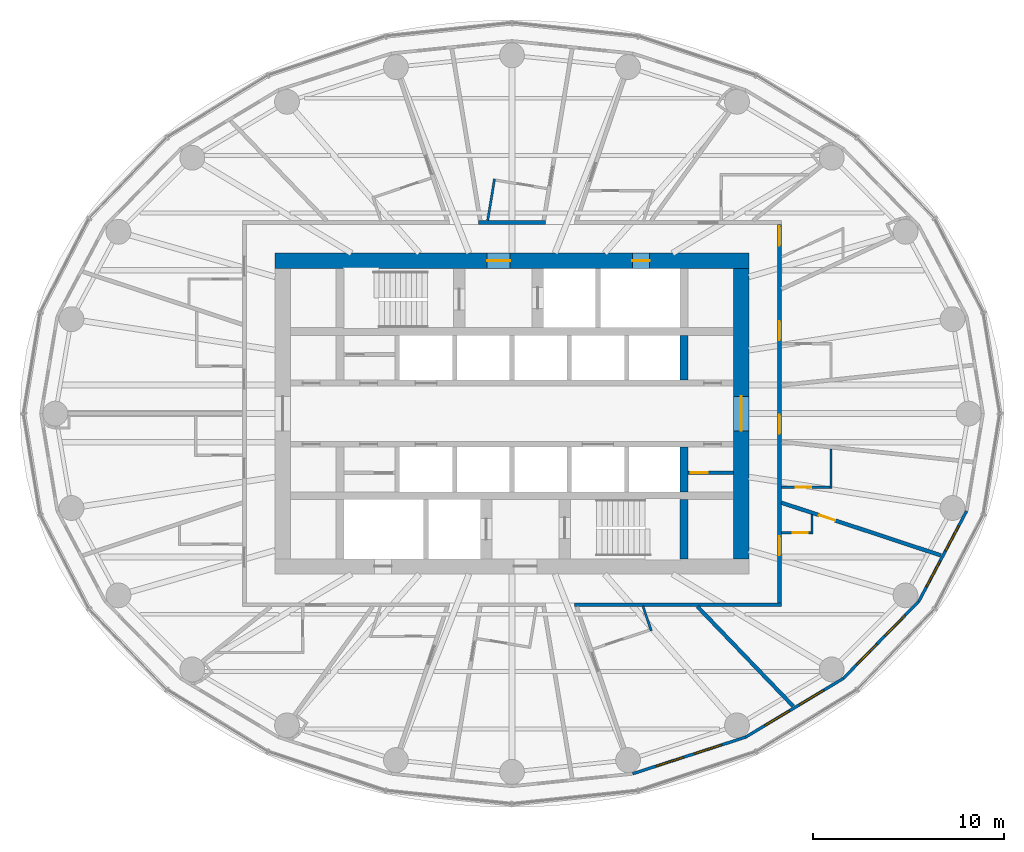
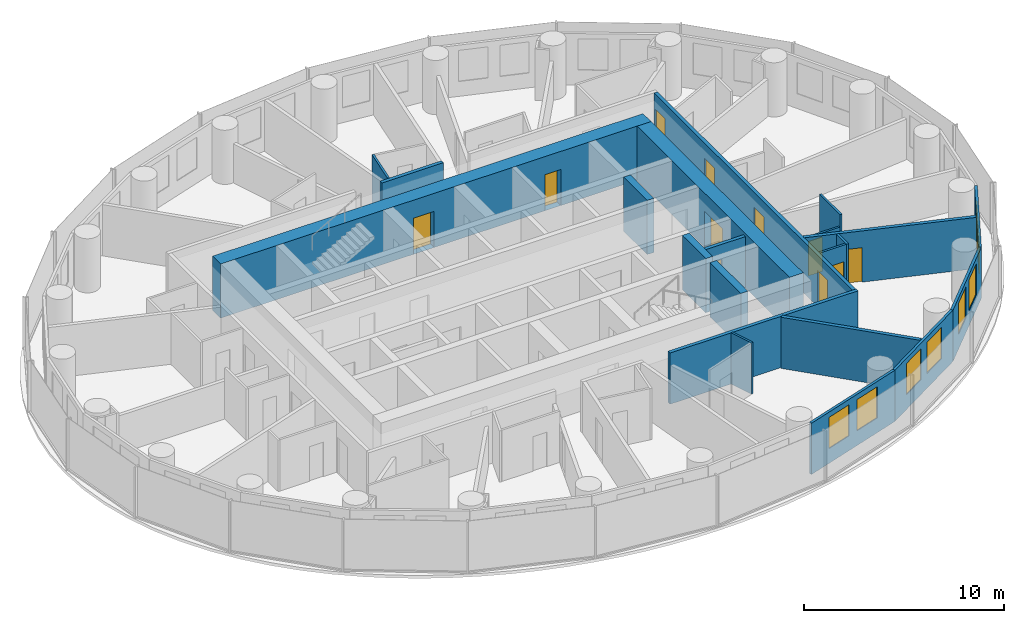
# One storey, part 9 of 13: 21 walls, 11 doors, 8 windows, 19 openings.
"""IFC4 building model written with IfcOpenShell, lengths in metres."""

from ifc_helpers import new_model, si_unit, direction, frame, frame_2d, origin, place, context, subcontext, project, spatial, rectangle, extrude, material, layer, layer_set, type_object, element, fill, save


model = new_model("IFC4")

# Units and contexts
model_context = context("Model", 3, precision=1e-05, world=origin(), true_north=direction((0.0, 1.0)))
body_context = subcontext(model_context, "Body", "Model", "MODEL_VIEW")
ifc_project = project(units=[si_unit("LENGTHUNIT", "METRE"), si_unit("AREAUNIT", "SQUARE_METRE"), si_unit("VOLUMEUNIT", "CUBIC_METRE"), si_unit("PLANEANGLEUNIT", "RADIAN"), si_unit("MASSUNIT", "GRAM", prefix="KILO")], contexts=[model_context])

# Site, building, storey
site_placement = place(None, origin())
site = spatial("IfcSite", under=ifc_project, at=site_placement, CompositionType="ELEMENT")
building_placement = place(site_placement, origin())
building = spatial("IfcBuilding", under=site, at=building_placement, Name="Hankou Lantern Tower", CompositionType="ELEMENT")
storey_placement = place(building_placement, frame((0.0, 0.0, 122.10009765625)))
storey = spatial("IfcBuildingStorey", under=building, at=storey_placement, Name="L31", CompositionType="ELEMENT", Elevation=122.10009765625)

# Wall, openings, doors
ifc_material_1 = material(Name="Concrete C60", Category="concrete")
ifc_layer_1 = layer(ifc_material_1, 0.800048828125)
ifc_layer_set_1 = layer_set([ifc_layer_1], Name="Concrete C60")
wall_type_1 = type_object("IfcWallType", Name="CW2 CORE WALL 800", PredefinedType="SHEAR", material=ifc_layer_set_1)
wall_1_placement = place(storey_placement, frame((-12.39990234375, 8.0, 0.0), z_axis=(0.0, 0.0, 1.0), x_axis=(1.0, 0.0, 0.0)))
wall_1 = element("IfcWall", 1, at=wall_1_placement, inside=storey, type_object=wall_type_1, Name="Core wall north L31", PredefinedType="SHEAR", context=body_context, shape_type="SweptSolid", body=[
    extrude(rectangle(XDim=24.7998046875, YDim=0.800048828125, at=frame_2d((12.39990234375, 0.0))), origin(), (0.0, 0.0, 1.0), 3.2998046875),
])
opening_1_placement = place(wall_1_placement, frame((11.10009765625, 0.0, 0.0)))
opening_1 = element("IfcOpeningElement", 2, at=opening_1_placement, cuts=wall_1, Name="Opening D5", PredefinedType="OPENING", context=body_context, shape_type="SweptSolid", body=[
    extrude(rectangle(XDim=1.199951171875, YDim=2.199951171875, at=frame_2d((0.60009765625, 1.10009765625))), frame((0.0, 0.409912109375, 0.0), z_axis=(0.0, -1.0, 0.0), x_axis=(1.0, 0.0, 0.0)), (0.0, 0.0, 1.0), 0.820068359375),
])
opening_2_placement = place(wall_1_placement, frame((18.699951171875, 0.0, 0.0)))
opening_2 = element("IfcOpeningElement", 3, at=opening_2_placement, cuts=wall_1, Name="Opening D7", PredefinedType="OPENING", context=body_context, shape_type="SweptSolid", body=[
    extrude(rectangle(XDim=0.89990234375, YDim=2.199951171875, at=frame_2d((0.449951171875, 1.10009765625))), frame((0.0, 0.409912109375, 0.0), z_axis=(0.0, -1.0, 0.0), x_axis=(1.0, 0.0, 0.0)), (0.0, 0.0, 1.0), 0.820068359375),
])
ifc_material_2 = material(Name="Steel door leaf", Category="steel")
door_type_1 = type_object("IfcDoorType", Name="D5 STAIR LOBBY DOOR 1200X2200", OperationType="SINGLE_SWING_LEFT", PredefinedType="DOOR", material=ifc_material_2)
door_1_placement = place(opening_1_placement, origin())
door_1 = element("IfcDoor", 4, at=door_1_placement, inside=storey, type_object=door_type_1, Name="Stair A lobby door", OperationType="SINGLE_SWING_LEFT", OverallHeight=2.199951171875, OverallWidth=1.199951171875, PredefinedType="DOOR", context=body_context, shape_type="SweptSolid", body=[
    extrude(rectangle(XDim=1.199951171875, YDim=2.199951171875, at=frame_2d((0.60009765625, 1.10009765625))), frame((0.0, 0.02490234375, 0.0), z_axis=(0.0, -1.0, 0.0), x_axis=(1.0, 0.0, 0.0)), (0.0, 0.0, 1.0), 0.050048828125),
])
fill(opening_1, door_1)
ifc_material_3 = material(Name="Steel door leaf", Category="steel")
door_type_2 = type_object("IfcDoorType", Name="D7 RISER DOOR 900X2200", OperationType="SINGLE_SWING_LEFT", PredefinedType="DOOR", material=ifc_material_3)
door_2_placement = place(opening_2_placement, origin())
door_2 = element("IfcDoor", 5, at=door_2_placement, inside=storey, type_object=door_type_2, Name="Riser N1 door", OperationType="SINGLE_SWING_RIGHT", OverallHeight=2.199951171875, OverallWidth=0.89990234375, PredefinedType="DOOR", context=body_context, shape_type="SweptSolid", body=[
    extrude(rectangle(XDim=0.89990234375, YDim=2.199951171875, at=frame_2d((0.449951171875, 1.10009765625))), frame((0.0, 0.02490234375, 0.0), z_axis=(0.0, -1.0, 0.0), x_axis=(1.0, 0.0, 0.0)), (0.0, 0.0, 1.0), 0.050048828125),
])
fill(opening_2, door_2)

# Wall, opening, door
wall_2_placement = place(storey_placement, frame((12.0, -7.60009765625, 0.0), z_axis=(0.0, 0.0, 1.0), x_axis=(0.0, 1.0, 0.0)))
wall_2 = element("IfcWall", 6, at=wall_2_placement, inside=storey, type_object=wall_type_1, Name="Core wall east L31", PredefinedType="SHEAR", context=body_context, shape_type="SweptSolid", body=[
    extrude(rectangle(XDim=15.2001953125, YDim=0.800048828125, at=frame_2d((7.60009765625, 0.0))), origin(), (0.0, 0.0, 1.0), 3.2998046875),
])
opening_3_placement = place(wall_2_placement, frame((6.699951171875, 0.0, 0.0)))
opening_3 = element("IfcOpeningElement", 7, at=opening_3_placement, cuts=wall_2, Name="Opening D6", PredefinedType="OPENING", context=body_context, shape_type="SweptSolid", body=[
    extrude(rectangle(XDim=1.800048828125, YDim=2.199951171875, at=frame_2d((0.89990234375, 1.10009765625))), frame((0.0, 0.409912109375, 0.0), z_axis=(0.0, -1.0, 0.0), x_axis=(1.0, 0.0, 0.0)), (0.0, 0.0, 1.0), 0.820068359375),
])
ifc_material_4 = material(Name="Steel door leaf", Category="steel")
door_type_3 = type_object("IfcDoorType", Name="D6 LIFT LOBBY DOOR 1800X2200", OperationType="DOUBLE_DOOR_DOUBLE_SWING", PredefinedType="DOOR", material=ifc_material_4)
door_3_placement = place(opening_3_placement, origin())
door_3 = element("IfcDoor", 8, at=door_3_placement, inside=storey, type_object=door_type_3, Name="Lift lobby east door", OperationType="DOUBLE_DOOR_DOUBLE_SWING", OverallHeight=2.199951171875, OverallWidth=1.800048828125, PredefinedType="DOOR", context=body_context, shape_type="SweptSolid", body=[
    extrude(rectangle(XDim=1.800048828125, YDim=2.199951171875, at=frame_2d((0.89990234375, 1.10009765625))), frame((0.0, 0.02490234375, 0.0), z_axis=(0.0, -1.0, 0.0), x_axis=(1.0, 0.0, 0.0)), (0.0, 0.0, 1.0), 0.050048828125),
])
fill(opening_3, door_3)

# Walls
ifc_material_5 = material(Name="Concrete C60", Category="concrete")
ifc_layer_2 = layer(ifc_material_5, 0.39990234375)
ifc_layer_set_2 = layer_set([ifc_layer_2], Name="Concrete C60")
wall_type_2 = type_object("IfcWallType", Name="CW4 CORE CROSS WALL 400", PredefinedType="SHEAR", material=ifc_layer_set_2)
for number, where, z_axis, x_axis, name in (
    (9, (9.0, 1.75, 0.0), (0.0, 0.0, 1.0), (0.0, 1.0, 0.0), "Core strip wall L31"),
    (10, (9.0, -4.10009765625, 0.0), (0.0, 0.0, 1.0), (0.0, 1.0, 0.0), "Core strip wall L31"),
):
    element("IfcWall", number, at=place(storey_placement, frame(where, z_axis=z_axis, x_axis=x_axis)), inside=storey, type_object=wall_type_2, Name=name, PredefinedType="SHEAR", context=body_context, shape_type="SweptSolid", body=[
        extrude(rectangle(XDim=2.35009765625, YDim=0.39990234375, at=frame_2d((1.175048828125, 0.0))), origin(), (0.0, 0.0, 1.0), 3.2998046875),
    ])
wall_3_placement = place(storey_placement, frame((9.0, -7.60009765625, 0.0), z_axis=(0.0, 0.0, 1.0), x_axis=(0.0, 1.0, 0.0)))
element("IfcWall", 11, at=wall_3_placement, inside=storey, type_object=wall_type_2, Name="Core strip wall L31", PredefinedType="SHEAR", context=body_context, shape_type="SweptSolid", body=[
    extrude(rectangle(XDim=3.10009765625, YDim=0.39990234375, at=frame_2d((1.550048828125, 0.0))), origin(), (0.0, 0.0, 1.0), 3.2998046875),
])

# Wall, openings, windows
ifc_material_6 = material(Name="Aluminium spandrel panel on steel studs", Category="steel")
ifc_layer_3 = layer(ifc_material_6, 0.14990234375)
ifc_layer_set_3 = layer_set([ifc_layer_3], Name="Aluminium spandrel panel on steel studs")
wall_type_3 = type_object("IfcWallType", Name="EW1 INNER SKIN WALL 150", PredefinedType="ELEMENTEDWALL", material=ifc_layer_set_3)
wall_4_placement = place(storey_placement, frame((6.3134765625, -18.849609375, 0.0), z_axis=(0.0, 0.0, 1.0), x_axis=(0.951272691506, 0.308350881944, 0.0)))
wall_4 = element("IfcWall", 12, at=wall_4_placement, inside=storey, type_object=wall_type_3, Name="Inner skin R20-R21 L31", PredefinedType="ELEMENTEDWALL", context=body_context, shape_type="SweptSolid", body=[
    extrude(rectangle(XDim=6.210693359375, YDim=0.14990234375, at=frame_2d((3.10546875, 0.0))), origin(), (0.0, 0.0, 1.0), 3.119873046875),
])
opening_4_placement = place(wall_4_placement, frame((1.305419921875, 0.0, 0.89990234375)))
opening_4 = element("IfcOpeningElement", 13, at=opening_4_placement, cuts=wall_4, Name="Opening W2", PredefinedType="OPENING", context=body_context, shape_type="SweptSolid", body=[
    extrude(rectangle(XDim=1.5, YDim=1.89990234375, at=frame_2d((0.75, 0.949951171875))), frame((0.0, 0.0849609375, 0.0), z_axis=(0.0, -1.0, 0.0), x_axis=(1.0, 0.0, 0.0)), (0.0, 0.0, 1.0), 0.169921875),
])
opening_5_placement = place(wall_4_placement, frame((3.4052734375, 0.0, 0.89990234375)))
opening_5 = element("IfcOpeningElement", 14, at=opening_5_placement, cuts=wall_4, Name="Opening W2", PredefinedType="OPENING", context=body_context, shape_type="SweptSolid", body=[
    extrude(rectangle(XDim=1.5, YDim=1.89990234375, at=frame_2d((0.75, 0.949951171875))), frame((0.0, 0.0849609375, 0.0), z_axis=(0.0, -1.0, 0.0), x_axis=(1.0, 0.0, 0.0)), (0.0, 0.0, 1.0), 0.169921875),
])
ifc_material_7 = material(Name="Aluminium framed double glazed window", Category="aluminium")
window_type = type_object("IfcWindowType", Name="W2 GUEST ROOM WINDOW 1500X1900", PartitioningType="DOUBLE_PANEL_VERTICAL", PredefinedType="WINDOW", material=ifc_material_7)
window_1_placement = place(opening_4_placement, origin())
window_1 = element("IfcWindow", 15, at=window_1_placement, inside=storey, type_object=window_type, Name="Window R20.1 L31", OverallHeight=1.89990234375, OverallWidth=1.5, PartitioningType="SINGLE_PANEL", PredefinedType="WINDOW", context=body_context, shape_type="SweptSolid", body=[
    extrude(rectangle(XDim=1.5, YDim=1.89990234375, at=frame_2d((0.75, 0.949951171875))), frame((0.0, 0.030029296875, 0.0), z_axis=(0.0, -1.0, 0.0), x_axis=(1.0, 0.0, 0.0)), (0.0, 0.0, 1.0), 0.06005859375),
])
fill(opening_4, window_1)
window_2_placement = place(opening_5_placement, origin())
window_2 = element("IfcWindow", 16, at=window_2_placement, inside=storey, type_object=window_type, Name="Window R20.2 L31", OverallHeight=1.89990234375, OverallWidth=1.5, PartitioningType="SINGLE_PANEL", PredefinedType="WINDOW", context=body_context, shape_type="SweptSolid", body=[
    extrude(rectangle(XDim=1.5, YDim=1.89990234375, at=frame_2d((0.75, 0.949951171875))), frame((0.0, 0.030029296875, 0.0), z_axis=(0.0, -1.0, 0.0), x_axis=(1.0, 0.0, 0.0)), (0.0, 0.0, 1.0), 0.06005859375),
])
fill(opening_5, window_2)

wall_5_placement = place(storey_placement, frame((12.221435546875, -16.9345703125, 0.0), z_axis=(0.0, 0.0, 1.0), x_axis=(0.857308573723, 0.514802884044, 0.0)))
wall_5 = element("IfcWall", 17, at=wall_5_placement, inside=storey, type_object=wall_type_3, Name="Inner skin R21-R22 L31", PredefinedType="ELEMENTEDWALL", context=body_context, shape_type="SweptSolid", body=[
    extrude(rectangle(XDim=5.961181640625, YDim=0.14990234375, at=frame_2d((2.98046875, 0.0))), origin(), (0.0, 0.0, 1.0), 3.119873046875),
])
opening_6_placement = place(wall_5_placement, frame((1.1806640625, 0.0, 0.89990234375)))
opening_6 = element("IfcOpeningElement", 18, at=opening_6_placement, cuts=wall_5, Name="Opening W2", PredefinedType="OPENING", context=body_context, shape_type="SweptSolid", body=[
    extrude(rectangle(XDim=1.5, YDim=1.89990234375, at=frame_2d((0.75, 0.949951171875))), frame((0.0, 0.0849609375, 0.0), z_axis=(0.0, -1.0, 0.0), x_axis=(1.0, 0.0, 0.0)), (0.0, 0.0, 1.0), 0.169921875),
])
opening_7_placement = place(wall_5_placement, frame((3.280517578125, 0.0, 0.89990234375)))
opening_7 = element("IfcOpeningElement", 19, at=opening_7_placement, cuts=wall_5, Name="Opening W2", PredefinedType="OPENING", context=body_context, shape_type="SweptSolid", body=[
    extrude(rectangle(XDim=1.5, YDim=1.89990234375, at=frame_2d((0.75, 0.949951171875))), frame((0.0, 0.0849609375, 0.0), z_axis=(0.0, -1.0, 0.0), x_axis=(1.0, 0.0, 0.0)), (0.0, 0.0, 1.0), 0.169921875),
])
window_3_placement = place(opening_6_placement, origin())
window_3 = element("IfcWindow", 20, at=window_3_placement, inside=storey, type_object=window_type, Name="Window R21.1 L31", OverallHeight=1.89990234375, OverallWidth=1.5, PartitioningType="SINGLE_PANEL", PredefinedType="WINDOW", context=body_context, shape_type="SweptSolid", body=[
    extrude(rectangle(XDim=1.5, YDim=1.89990234375, at=frame_2d((0.75, 0.949951171875))), frame((0.0, 0.030029296875, 0.0), z_axis=(0.0, -1.0, 0.0), x_axis=(1.0, 0.0, 0.0)), (0.0, 0.0, 1.0), 0.06005859375),
])
fill(opening_6, window_3)
window_4_placement = place(opening_7_placement, origin())
window_4 = element("IfcWindow", 21, at=window_4_placement, inside=storey, type_object=window_type, Name="Window R21.2 L31", OverallHeight=1.89990234375, OverallWidth=1.5, PartitioningType="SINGLE_PANEL", PredefinedType="WINDOW", context=body_context, shape_type="SweptSolid", body=[
    extrude(rectangle(XDim=1.5, YDim=1.89990234375, at=frame_2d((0.75, 0.949951171875))), frame((0.0, 0.030029296875, 0.0), z_axis=(0.0, -1.0, 0.0), x_axis=(1.0, 0.0, 0.0)), (0.0, 0.0, 1.0), 0.06005859375),
])
fill(opening_7, window_4)

wall_6_placement = place(storey_placement, frame((17.33203125, -13.86572265625, 0.0), z_axis=(0.0, 0.0, 1.0), x_axis=(0.700136650834, 0.714008872605, 0.0)))
wall_6 = element("IfcWall", 22, at=wall_6_placement, inside=storey, type_object=wall_type_3, Name="Inner skin R22-R23 L31", PredefinedType="ELEMENTEDWALL", context=body_context, shape_type="SweptSolid", body=[
    extrude(rectangle(XDim=5.6494140625, YDim=0.14990234375, at=frame_2d((2.82470703125, 0.0))), origin(), (0.0, 0.0, 1.0), 3.119873046875),
])
opening_8_placement = place(wall_6_placement, frame((1.024658203125, 0.0, 0.89990234375)))
opening_8 = element("IfcOpeningElement", 23, at=opening_8_placement, cuts=wall_6, Name="Opening W2", PredefinedType="OPENING", context=body_context, shape_type="SweptSolid", body=[
    extrude(rectangle(XDim=1.5, YDim=1.89990234375, at=frame_2d((0.75, 0.949951171875))), frame((0.0, 0.0849609375, 0.0), z_axis=(0.0, -1.0, 0.0), x_axis=(1.0, 0.0, 0.0)), (0.0, 0.0, 1.0), 0.169921875),
])
opening_9_placement = place(wall_6_placement, frame((3.12451171875, 0.0, 0.89990234375)))
opening_9 = element("IfcOpeningElement", 24, at=opening_9_placement, cuts=wall_6, Name="Opening W2", PredefinedType="OPENING", context=body_context, shape_type="SweptSolid", body=[
    extrude(rectangle(XDim=1.5, YDim=1.89990234375, at=frame_2d((0.75, 0.949951171875))), frame((0.0, 0.0849609375, 0.0), z_axis=(0.0, -1.0, 0.0), x_axis=(1.0, 0.0, 0.0)), (0.0, 0.0, 1.0), 0.169921875),
])
window_5_placement = place(opening_8_placement, origin())
window_5 = element("IfcWindow", 25, at=window_5_placement, inside=storey, type_object=window_type, Name="Window R22.1 L31", OverallHeight=1.89990234375, OverallWidth=1.5, PartitioningType="SINGLE_PANEL", PredefinedType="WINDOW", context=body_context, shape_type="SweptSolid", body=[
    extrude(rectangle(XDim=1.5, YDim=1.89990234375, at=frame_2d((0.75, 0.949951171875))), frame((0.0, 0.030029296875, 0.0), z_axis=(0.0, -1.0, 0.0), x_axis=(1.0, 0.0, 0.0)), (0.0, 0.0, 1.0), 0.06005859375),
])
fill(opening_8, window_5)
window_6_placement = place(opening_9_placement, origin())
window_6 = element("IfcWindow", 26, at=window_6_placement, inside=storey, type_object=window_type, Name="Window R22.2 L31", OverallHeight=1.89990234375, OverallWidth=1.5, PartitioningType="SINGLE_PANEL", PredefinedType="WINDOW", context=body_context, shape_type="SweptSolid", body=[
    extrude(rectangle(XDim=1.5, YDim=1.89990234375, at=frame_2d((0.75, 0.949951171875))), frame((0.0, 0.030029296875, 0.0), z_axis=(0.0, -1.0, 0.0), x_axis=(1.0, 0.0, 0.0)), (0.0, 0.0, 1.0), 0.06005859375),
])
fill(opening_9, window_6)

wall_7_placement = place(storey_placement, frame((21.287353515625, -9.83203125, 0.0), z_axis=(0.0, 0.0, 1.0), x_axis=(0.467814388454, 0.883826735257, 0.0)))
wall_7 = element("IfcWall", 27, at=wall_7_placement, inside=storey, type_object=wall_type_3, Name="Inner skin R23-R24 L31", PredefinedType="ELEMENTEDWALL", context=body_context, shape_type="SweptSolid", body=[
    extrude(rectangle(XDim=5.35400390625, YDim=0.14990234375, at=frame_2d((2.677001953125, 0.0))), origin(), (0.0, 0.0, 1.0), 3.119873046875),
])
opening_10_placement = place(wall_7_placement, frame((0.876953125, 0.0, 0.89990234375)))
opening_10 = element("IfcOpeningElement", 28, at=opening_10_placement, cuts=wall_7, Name="Opening W2", PredefinedType="OPENING", context=body_context, shape_type="SweptSolid", body=[
    extrude(rectangle(XDim=1.5, YDim=1.89990234375, at=frame_2d((0.75, 0.949951171875))), frame((0.0, 0.0849609375, 0.0), z_axis=(0.0, -1.0, 0.0), x_axis=(1.0, 0.0, 0.0)), (0.0, 0.0, 1.0), 0.169921875),
])
opening_11_placement = place(wall_7_placement, frame((2.97705078125, 0.0, 0.89990234375)))
opening_11 = element("IfcOpeningElement", 29, at=opening_11_placement, cuts=wall_7, Name="Opening W2", PredefinedType="OPENING", context=body_context, shape_type="SweptSolid", body=[
    extrude(rectangle(XDim=1.5, YDim=1.89990234375, at=frame_2d((0.75, 0.949951171875))), frame((0.0, 0.0849609375, 0.0), z_axis=(0.0, -1.0, 0.0), x_axis=(1.0, 0.0, 0.0)), (0.0, 0.0, 1.0), 0.169921875),
])
window_7_placement = place(opening_10_placement, origin())
window_7 = element("IfcWindow", 30, at=window_7_placement, inside=storey, type_object=window_type, Name="Window R23.1 L31", OverallHeight=1.89990234375, OverallWidth=1.5, PartitioningType="SINGLE_PANEL", PredefinedType="WINDOW", context=body_context, shape_type="SweptSolid", body=[
    extrude(rectangle(XDim=1.5, YDim=1.89990234375, at=frame_2d((0.75, 0.949951171875))), frame((0.0, 0.030029296875, 0.0), z_axis=(0.0, -1.0, 0.0), x_axis=(1.0, 0.0, 0.0)), (0.0, 0.0, 1.0), 0.06005859375),
])
fill(opening_10, window_7)
window_8_placement = place(opening_11_placement, origin())
window_8 = element("IfcWindow", 31, at=window_8_placement, inside=storey, type_object=window_type, Name="Window R23.2 L31", OverallHeight=1.89990234375, OverallWidth=1.5, PartitioningType="SINGLE_PANEL", PredefinedType="WINDOW", context=body_context, shape_type="SweptSolid", body=[
    extrude(rectangle(XDim=1.5, YDim=1.89990234375, at=frame_2d((0.75, 0.949951171875))), frame((0.0, 0.030029296875, 0.0), z_axis=(0.0, -1.0, 0.0), x_axis=(1.0, 0.0, 0.0)), (0.0, 0.0, 1.0), 0.06005859375),
])
fill(opening_11, window_8)

# Wall
ifc_material_8 = material(Name="Masonry lightweight concrete block", Category="masonry")
ifc_layer_4 = layer(ifc_material_8, 0.199951171875)
ifc_layer_set_4 = layer_set([ifc_layer_4], Name="Masonry lightweight concrete block")
wall_type_4 = type_object("IfcWallType", Name="IW1 GUEST ROOM PARTY WALL 200", PredefinedType="PARTITIONING", material=ifc_layer_set_4)
wall_8_placement = place(storey_placement, frame((9.706298828125, -10.10009765625, 0.0), z_axis=(0.0, 0.0, 1.0), x_axis=(0.692944801824, -0.720990639069, 0.0)))
element("IfcWall", 32, at=wall_8_placement, inside=storey, type_object=wall_type_4, Name="Party wall R21-R22", PredefinedType="PARTITIONING", context=body_context, shape_type="SweptSolid", body=[
    extrude(rectangle(XDim=7.23388671875, YDim=0.199951171875, at=frame_2d((3.616943359375, 0.0))), origin(), (0.0, 0.0, 1.0), 3.119873046875),
])

# Wall, openings, doors
ifc_material_9 = material(Name="Masonry lightweight concrete block", Category="masonry")
ifc_layer_5 = layer(ifc_material_9, 0.199951171875)
ifc_layer_set_5 = layer_set([ifc_layer_5], Name="Masonry lightweight concrete block")
wall_type_5 = type_object("IfcWallType", Name="IW2 CORRIDOR WALL 200", PredefinedType="PARTITIONING", material=ifc_layer_set_5)
wall_9_placement = place(storey_placement, frame((14.0, -9.89990234375, 0.0), z_axis=(0.0, 0.0, 1.0), x_axis=(0.0, 1.0, 0.0)))
wall_9 = element("IfcWall", 33, at=wall_9_placement, inside=storey, type_object=wall_type_5, Name="Corridor wall east", PredefinedType="PARTITIONING", context=body_context, shape_type="SweptSolid", body=[
    extrude(rectangle(XDim=19.7998046875, YDim=0.199951171875, at=frame_2d((9.89990234375, 0.0))), origin(), (0.0, 0.0, 1.0), 3.119873046875),
])
opening_12_placement = place(wall_9_placement, frame((2.477783203125, 0.0, 0.0)))
opening_12 = element("IfcOpeningElement", 34, at=opening_12_placement, cuts=wall_9, Name="Opening D2", PredefinedType="OPENING", context=body_context, shape_type="SweptSolid", body=[
    extrude(rectangle(XDim=1.0, YDim=2.199951171875, at=frame_2d((0.5, 1.10009765625))), frame((0.0, 0.10986328125, 0.0), z_axis=(0.0, -1.0, 0.0), x_axis=(1.0, 0.0, 0.0)), (0.0, 0.0, 1.0), 0.219970703125),
])
opening_13_placement = place(wall_9_placement, frame((8.838134765625, 0.0, 0.0)))
opening_13 = element("IfcOpeningElement", 35, at=opening_13_placement, cuts=wall_9, Name="Opening D28", PredefinedType="OPENING", context=body_context, shape_type="SweptSolid", body=[
    extrude(rectangle(XDim=1.0, YDim=2.199951171875, at=frame_2d((0.5, 1.10009765625))), frame((0.0, 0.10986328125, 0.0), z_axis=(0.0, -1.0, 0.0), x_axis=(1.0, 0.0, 0.0)), (0.0, 0.0, 1.0), 0.219970703125),
])
opening_14_placement = place(wall_9_placement, frame((13.74169921875, 0.0, 0.0)))
opening_14 = element("IfcOpeningElement", 36, at=opening_14_placement, cuts=wall_9, Name="Opening D1", PredefinedType="OPENING", context=body_context, shape_type="SweptSolid", body=[
    extrude(rectangle(XDim=1.0, YDim=2.199951171875, at=frame_2d((0.5, 1.10009765625))), frame((0.0, 0.10986328125, 0.0), z_axis=(0.0, -1.0, 0.0), x_axis=(1.0, 0.0, 0.0)), (0.0, 0.0, 1.0), 0.219970703125),
])
opening_15_placement = place(wall_9_placement, frame((18.697509765625, 0.0, 0.0)))
opening_15 = element("IfcOpeningElement", 37, at=opening_15_placement, cuts=wall_9, Name="Opening D1", PredefinedType="OPENING", context=body_context, shape_type="SweptSolid", body=[
    extrude(rectangle(XDim=1.0, YDim=2.199951171875, at=frame_2d((0.5, 1.10009765625))), frame((0.0, 0.10986328125, 0.0), z_axis=(0.0, -1.0, 0.0), x_axis=(1.0, 0.0, 0.0)), (0.0, 0.0, 1.0), 0.219970703125),
])
ifc_material_10 = material(Name="Steel door leaf", Category="steel")
door_type_4 = type_object("IfcDoorType", Name="D1 GUEST ROOM DOOR 1000X2200", OperationType="SINGLE_SWING_LEFT", PredefinedType="DOOR", material=ifc_material_10)
door_4_placement = place(opening_14_placement, origin())
door_4 = element("IfcDoor", 38, at=door_4_placement, inside=storey, type_object=door_type_4, Name="Guest room door 3117", OperationType="SINGLE_SWING_RIGHT", OverallHeight=2.199951171875, OverallWidth=1.0, PredefinedType="DOOR", context=body_context, shape_type="SweptSolid", body=[
    extrude(rectangle(XDim=1.0, YDim=2.199951171875, at=frame_2d((0.5, 1.10009765625))), frame((0.0, 0.02490234375, 0.0), z_axis=(0.0, -1.0, 0.0), x_axis=(1.0, 0.0, 0.0)), (0.0, 0.0, 1.0), 0.050048828125),
])
fill(opening_14, door_4)
door_5_placement = place(opening_15_placement, origin())
door_5 = element("IfcDoor", 39, at=door_5_placement, inside=storey, type_object=door_type_4, Name="Guest room door 3118", OperationType="SINGLE_SWING_RIGHT", OverallHeight=2.199951171875, OverallWidth=1.0, PredefinedType="DOOR", context=body_context, shape_type="SweptSolid", body=[
    extrude(rectangle(XDim=1.0, YDim=2.199951171875, at=frame_2d((0.5, 1.10009765625))), frame((0.0, 0.02490234375, 0.0), z_axis=(0.0, -1.0, 0.0), x_axis=(1.0, 0.0, 0.0)), (0.0, 0.0, 1.0), 0.050048828125),
])
fill(opening_15, door_5)
ifc_material_11 = material(Name="Steel door leaf", Category="steel")
door_type_5 = type_object("IfcDoorType", Name="D2 SUITE DOOR 1000X2200", OperationType="SINGLE_SWING_LEFT", PredefinedType="DOOR", material=ifc_material_11)
door_6_placement = place(opening_12_placement, origin())
door_6 = element("IfcDoor", 40, at=door_6_placement, inside=storey, type_object=door_type_5, Name="Suite door 3115C", OperationType="SINGLE_SWING_LEFT", OverallHeight=2.199951171875, OverallWidth=1.0, PredefinedType="DOOR", context=body_context, shape_type="SweptSolid", body=[
    extrude(rectangle(XDim=1.0, YDim=2.199951171875, at=frame_2d((0.5, 1.10009765625))), frame((0.0, 0.02490234375, 0.0), z_axis=(0.0, -1.0, 0.0), x_axis=(1.0, 0.0, 0.0)), (0.0, 0.0, 1.0), 0.050048828125),
])
fill(opening_12, door_6)
ifc_material_12 = material(Name="Steel door leaf", Category="steel")
door_type_6 = type_object("IfcDoorType", Name="D28 SERVICE DOOR 1000X2200", OperationType="SINGLE_SWING_LEFT", PredefinedType="DOOR", material=ifc_material_12)
door_7_placement = place(opening_13_placement, origin())
door_7 = element("IfcDoor", 41, at=door_7_placement, inside=storey, type_object=door_type_6, Name="Service door 3116", OperationType="SINGLE_SWING_LEFT", OverallHeight=2.199951171875, OverallWidth=1.0, PredefinedType="DOOR", context=body_context, shape_type="SweptSolid", body=[
    extrude(rectangle(XDim=1.0, YDim=2.199951171875, at=frame_2d((0.5, 1.10009765625))), frame((0.0, 0.02490234375, 0.0), z_axis=(0.0, -1.0, 0.0), x_axis=(1.0, 0.0, 0.0)), (0.0, 0.0, 1.0), 0.050048828125),
])
fill(opening_13, door_7)

# Walls
wall_10_placement = place(storey_placement, frame((14.10009765625, -10.0, 0.0), z_axis=(0.0, 0.0, 1.0), x_axis=(-1.0, 0.0, 0.0)))
element("IfcWall", 42, at=wall_10_placement, inside=storey, type_object=wall_type_5, Name="Corridor wall south", PredefinedType="PARTITIONING", context=body_context, shape_type="SweptSolid", body=[
    extrude(rectangle(XDim=10.817138671875, YDim=0.199951171875, at=frame_2d((5.40869140625, 0.0))), origin(), (0.0, 0.0, 1.0), 3.119873046875),
])
wall_11_placement = place(storey_placement, frame((-1.76513671875, 10.0, 0.0), z_axis=(0.0, 0.0, 1.0), x_axis=(1.0, 0.0, 0.0)))
element("IfcWall", 43, at=wall_11_placement, inside=storey, type_object=wall_type_5, Name="Corridor wall north", PredefinedType="PARTITIONING", context=body_context, shape_type="SweptSolid", body=[
    extrude(rectangle(XDim=3.5302734375, YDim=0.199951171875, at=frame_2d((1.76513671875, 0.0))), origin(), (0.0, 0.0, 1.0), 3.119873046875),
])
ifc_material_13 = material(Name="Masonry lightweight concrete block", Category="masonry")
ifc_layer_6 = layer(ifc_material_13, 0.1201171875)
ifc_layer_set_6 = layer_set([ifc_layer_6], Name="Masonry lightweight concrete block")
wall_type_6 = type_object("IfcWallType", Name="IW3 BATHROOM WALL 120", PredefinedType="PARTITIONING", material=ifc_layer_set_6)
wall_12_placement = place(storey_placement, frame((-1.271240234375, 10.1162109375, 0.0), z_axis=(0.0, 0.0, 1.0), x_axis=(0.162672481395, 0.986680122328, 0.0)))
element("IfcWall", 44, at=wall_12_placement, inside=storey, type_object=wall_type_6, Name="Box wall 3102 1", PredefinedType="PARTITIONING", context=body_context, shape_type="SweptSolid", body=[
    extrude(rectangle(XDim=2.20166015625, YDim=0.1201171875, at=frame_2d((1.100830078125, 0.0))), origin(), (0.0, 0.0, 1.0), 3.119873046875),
])
wall_13_placement = place(storey_placement, frame((6.852294921875, -10.068359375, 0.0), z_axis=(0.0, 0.0, 1.0), x_axis=(0.317619240343, -0.948218338867, 0.0)))
element("IfcWall", 45, at=wall_13_placement, inside=storey, type_object=wall_type_6, Name="Box wall 3114 1", PredefinedType="PARTITIONING", context=body_context, shape_type="SweptSolid", body=[
    extrude(rectangle(XDim=1.3681640625, YDim=0.1201171875, at=frame_2d((0.68408203125, 0.0))), origin(), (0.0, 0.0, 1.0), 3.119873046875),
])
wall_14_placement = place(storey_placement, frame((15.699951171875, -5.291259765625, 0.0), z_axis=(0.0, 0.0, 1.0), x_axis=(0.0, -1.0, 0.0)))
element("IfcWall", 46, at=wall_14_placement, inside=storey, type_object=wall_type_6, Name="Box wall 3115C 1", PredefinedType="PARTITIONING", context=body_context, shape_type="SweptSolid", body=[
    extrude(rectangle(XDim=1.010986328125, YDim=0.1201171875, at=frame_2d((0.50537109375, 0.0))), origin(), (0.0, 0.0, 1.0), 3.119873046875),
])

# Wall, opening, door
wall_15_placement = place(storey_placement, frame((14.10009765625, -6.2421875, 0.0), z_axis=(0.0, 0.0, 1.0), x_axis=(1.0, 0.0, 0.0)))
wall_15 = element("IfcWall", 47, at=wall_15_placement, inside=storey, type_object=wall_type_6, Name="Box wall 3115C 1", PredefinedType="PARTITIONING", context=body_context, shape_type="SweptSolid", body=[
    extrude(rectangle(XDim=1.539794921875, YDim=0.1201171875, at=frame_2d((0.77001953125, 0.0))), origin(), (0.0, 0.0, 1.0), 3.119873046875),
])
opening_16_placement = place(wall_15_placement, frame((0.590087890625, 0.0, 0.0)))
opening_16 = element("IfcOpeningElement", 48, at=opening_16_placement, cuts=wall_15, Name="Opening D3", PredefinedType="OPENING", context=body_context, shape_type="SweptSolid", body=[
    extrude(rectangle(XDim=0.800048828125, YDim=2.10009765625, at=frame_2d((0.39990234375, 1.050048828125))), frame((0.0, 0.070068359375, 0.0), z_axis=(0.0, -1.0, 0.0), x_axis=(1.0, 0.0, 0.0)), (0.0, 0.0, 1.0), 0.14013671875),
])
ifc_material_14 = material(Name="Timber door leaf", Category="wood")
door_type_7 = type_object("IfcDoorType", Name="D3 BATHROOM DOOR 800X2100", OperationType="SINGLE_SWING_LEFT", PredefinedType="DOOR", material=ifc_material_14)
door_8_placement = place(opening_16_placement, origin())
door_8 = element("IfcDoor", 49, at=door_8_placement, inside=storey, type_object=door_type_7, Name="Corner suite 3115 guest WC door", OperationType="SINGLE_SWING_RIGHT", OverallHeight=2.10009765625, OverallWidth=0.800048828125, PredefinedType="DOOR", context=body_context, shape_type="SweptSolid", body=[
    extrude(rectangle(XDim=0.800048828125, YDim=2.10009765625, at=frame_2d((0.39990234375, 1.050048828125))), frame((0.0, 0.02490234375, 0.0), z_axis=(0.0, -1.0, 0.0), x_axis=(1.0, 0.0, 0.0)), (0.0, 0.0, 1.0), 0.050048828125),
])
fill(opening_16, door_8)

# Wall
wall_16_placement = place(storey_placement, frame((16.699951171875, -1.85498046875, 0.0), z_axis=(0.0, 0.0, 1.0), x_axis=(0.0, -1.0, 0.0)))
element("IfcWall", 50, at=wall_16_placement, inside=storey, type_object=wall_type_6, Name="Box wall 3115A 1", PredefinedType="PARTITIONING", context=body_context, shape_type="SweptSolid", body=[
    extrude(rectangle(XDim=2.066650390625, YDim=0.1201171875, at=frame_2d((1.033203125, 0.0))), origin(), (0.0, 0.0, 1.0), 3.119873046875),
])

# Wall, opening, door
wall_17_placement = place(storey_placement, frame((14.10009765625, -3.86181640625, 0.0), z_axis=(0.0, 0.0, 1.0), x_axis=(1.0, 0.0, 0.0)))
wall_17 = element("IfcWall", 51, at=wall_17_placement, inside=storey, type_object=wall_type_6, Name="Box wall 3115A 1", PredefinedType="PARTITIONING", context=body_context, shape_type="SweptSolid", body=[
    extrude(rectangle(XDim=2.539794921875, YDim=0.1201171875, at=frame_2d((1.27001953125, 0.0))), origin(), (0.0, 0.0, 1.0), 2.369873046875),
])
opening_17_placement = place(wall_17_placement, frame((0.75, 0.0, 0.0)))
opening_17 = element("IfcOpeningElement", 52, at=opening_17_placement, cuts=wall_17, Name="Opening D3", PredefinedType="OPENING", context=body_context, shape_type="SweptSolid", body=[
    extrude(rectangle(XDim=0.800048828125, YDim=2.10009765625, at=frame_2d((0.39990234375, 1.050048828125))), frame((0.0, 0.070068359375, 0.0), z_axis=(0.0, -1.0, 0.0), x_axis=(1.0, 0.0, 0.0)), (0.0, 0.0, 1.0), 0.14013671875),
])
door_9_placement = place(opening_17_placement, origin())
door_9 = element("IfcDoor", 53, at=door_9_placement, inside=storey, type_object=door_type_7, Name="Corner suite 3115 bathroom door", OperationType="SINGLE_SWING_LEFT", OverallHeight=2.10009765625, OverallWidth=0.800048828125, PredefinedType="DOOR", context=body_context, shape_type="SweptSolid", body=[
    extrude(rectangle(XDim=0.800048828125, YDim=2.10009765625, at=frame_2d((0.39990234375, 1.050048828125))), frame((0.0, 0.02490234375, 0.0), z_axis=(0.0, -1.0, 0.0), x_axis=(1.0, 0.0, 0.0)), (0.0, 0.0, 1.0), 0.050048828125),
])
fill(opening_17, door_9)

ifc_material_15 = material(Name="Masonry lightweight concrete block", Category="masonry")
ifc_layer_7 = layer(ifc_material_15, 0.199951171875)
ifc_layer_set_7 = layer_set([ifc_layer_7], Name="Masonry lightweight concrete block")
wall_type_7 = type_object("IfcWallType", Name="IW6 SUITE PARTITION 200", PredefinedType="PARTITIONING", material=ifc_layer_set_7)
wall_18_placement = place(storey_placement, frame((14.10009765625, -4.662353515625, 0.0), z_axis=(0.0, 0.0, 1.0), x_axis=(0.949446466373, -0.313928984789, 0.0)))
wall_18 = element("IfcWall", 54, at=wall_18_placement, inside=storey, type_object=wall_type_7, Name="Suite partition R23-R24", PredefinedType="PARTITIONING", context=body_context, shape_type="SweptSolid", body=[
    extrude(rectangle(XDim=8.79736328125, YDim=0.199951171875, at=frame_2d((4.398681640625, 0.0))), origin(), (0.0, 0.0, 1.0), 3.119873046875),
])
opening_18_placement = place(wall_18_placement, frame((2.070068359375, 0.0, 0.0)))
opening_18 = element("IfcOpeningElement", 55, at=opening_18_placement, cuts=wall_18, Name="Opening D27", PredefinedType="OPENING", context=body_context, shape_type="SweptSolid", body=[
    extrude(rectangle(XDim=0.89990234375, YDim=2.10009765625, at=frame_2d((0.449951171875, 1.050048828125))), frame((0.0, 0.10986328125, 0.0), z_axis=(0.0, -1.0, 0.0), x_axis=(1.0, 0.0, 0.0)), (0.0, 0.0, 1.0), 0.219970703125),
])
ifc_material_16 = material(Name="Timber door leaf", Category="wood")
door_type_8 = type_object("IfcDoorType", Name="D27 INTERNAL DOOR 900X2100", OperationType="SINGLE_SWING_LEFT", PredefinedType="DOOR", material=ifc_material_16)
door_10_placement = place(opening_18_placement, origin())
door_10 = element("IfcDoor", 56, at=door_10_placement, inside=storey, type_object=door_type_8, Name="Corner suite 3115 bedroom door", OperationType="SINGLE_SWING_LEFT", OverallHeight=2.10009765625, OverallWidth=0.89990234375, PredefinedType="DOOR", context=body_context, shape_type="SweptSolid", body=[
    extrude(rectangle(XDim=0.89990234375, YDim=2.10009765625, at=frame_2d((0.449951171875, 1.050048828125))), frame((0.0, 0.02490234375, 0.0), z_axis=(0.0, -1.0, 0.0), x_axis=(1.0, 0.0, 0.0)), (0.0, 0.0, 1.0), 0.050048828125),
])
fill(opening_18, door_10)

ifc_material_17 = material(Name="Masonry lightweight concrete block", Category="masonry")
ifc_layer_8 = layer(ifc_material_17, 0.199951171875)
ifc_layer_set_8 = layer_set([ifc_layer_8], Name="Masonry lightweight concrete block")
wall_type_8 = type_object("IfcWallType", Name="IW8 PARTITION 200", PredefinedType="PARTITIONING", material=ifc_layer_set_8)
wall_19_placement = place(storey_placement, frame((9.199951171875, -3.10009765625, 0.0), z_axis=(0.0, 0.0, 1.0), x_axis=(1.0, 0.0, 0.0)))
wall_19 = element("IfcWall", 57, at=wall_19_placement, inside=storey, type_object=wall_type_8, Name="Partition room service pantry", PredefinedType="PARTITIONING", context=body_context, shape_type="SweptSolid", body=[
    extrude(rectangle(XDim=2.400146484375, YDim=0.199951171875, at=frame_2d((1.2001953125, 0.0))), origin(), (0.0, 0.0, 1.0), 3.119873046875),
])
opening_19_placement = place(wall_19_placement, frame((0.14990234375, 0.0, 0.0)))
opening_19 = element("IfcOpeningElement", 58, at=opening_19_placement, cuts=wall_19, Name="Opening D12", PredefinedType="OPENING", context=body_context, shape_type="SweptSolid", body=[
    extrude(rectangle(XDim=0.89990234375, YDim=2.199951171875, at=frame_2d((0.449951171875, 1.10009765625))), frame((0.0, 0.10986328125, 0.0), z_axis=(0.0, -1.0, 0.0), x_axis=(1.0, 0.0, 0.0)), (0.0, 0.0, 1.0), 0.219970703125),
])
ifc_material_18 = material(Name="Steel door leaf", Category="steel")
door_type_9 = type_object("IfcDoorType", Name="D12 STORE DOOR 900X2200", OperationType="SINGLE_SWING_LEFT", PredefinedType="DOOR", material=ifc_material_18)
door_11_placement = place(opening_19_placement, origin())
door_11 = element("IfcDoor", 59, at=door_11_placement, inside=storey, type_object=door_type_9, Name="Room service cupboard door", OperationType="SINGLE_SWING_LEFT", OverallHeight=2.199951171875, OverallWidth=0.89990234375, PredefinedType="DOOR", context=body_context, shape_type="SweptSolid", body=[
    extrude(rectangle(XDim=0.89990234375, YDim=2.199951171875, at=frame_2d((0.449951171875, 1.10009765625))), frame((0.0, 0.02490234375, 0.0), z_axis=(0.0, -1.0, 0.0), x_axis=(1.0, 0.0, 0.0)), (0.0, 0.0, 1.0), 0.050048828125),
])
fill(opening_19, door_11)

save(model, "model.ifc")
